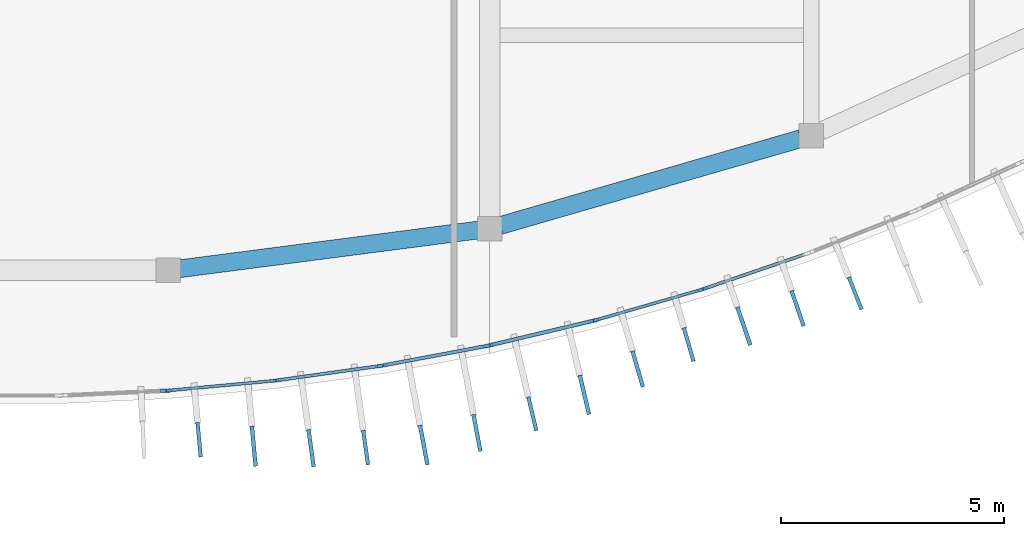
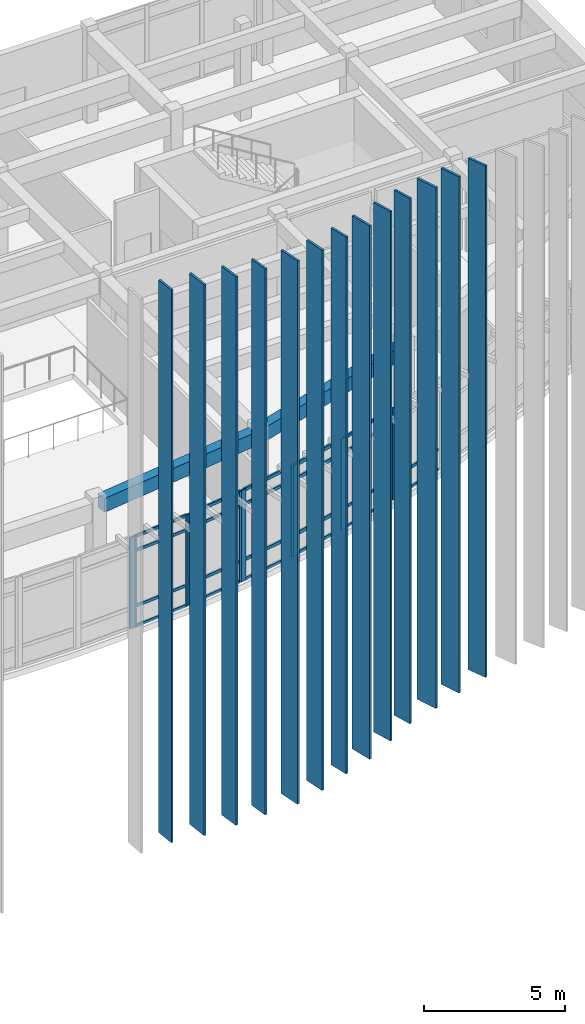
# One storey, part 18 of 47: 47 members, 2 beams, 7 elements without a shape of their own.
"""IFC4 building model written with IfcOpenShell, lengths in metres."""

from ifc_helpers import new_model, si_unit, direction, frame, origin, origin_2d, place, context, subcontext, project, spatial, rectangle, extrude, material, layer, layer_set, material_profile, profile_set, type_object, element, aggregate, save


model = new_model("IFC4")

# Units and contexts
model_context = context("Model", 3, precision=1e-05, world=origin(), true_north=direction((0.0, 1.0)))
body_context = subcontext(model_context, "Body", "Model", "MODEL_VIEW")
ifc_project = project(units=[si_unit("LENGTHUNIT", "METRE"), si_unit("AREAUNIT", "SQUARE_METRE"), si_unit("VOLUMEUNIT", "CUBIC_METRE"), si_unit("PLANEANGLEUNIT", "RADIAN"), si_unit("MASSUNIT", "GRAM", prefix="KILO")], contexts=[model_context])

# Site, building, storey
site_placement = place(None, origin())
site = spatial("IfcSite", under=ifc_project, at=site_placement, CompositionType="ELEMENT")
building_placement = place(site_placement, origin())
building = spatial("IfcBuilding", under=site, at=building_placement, Name="Brisavento Harbour Community Centre", CompositionType="ELEMENT")
storey_placement = place(building_placement, frame((0.0, 0.0, 8.699951171875)))
storey = spatial("IfcBuildingStorey", under=building, at=storey_placement, Name="L02", CompositionType="ELEMENT", Elevation=8.699951171875)

# Beams
ifc_material_1 = material(Name="Concrete C35/45", Category="concrete")
ifc_material_profile_1 = material_profile(ifc_material_1, rectangle(XDim=0.39990234375, YDim=0.60009765625, at=origin_2d()), Name="Concrete C35/45")
ifc_profile_set_1 = profile_set([ifc_material_profile_1], Name="Concrete C35/45")
beam_type = type_object("IfcBeamType", Name="BM-SPN-400x600", PredefinedType="SPANDREL", material=ifc_profile_set_1)
beam_1_placement = place(storey_placement, frame((144.242919921875, 3.031494140625, 3.66015625), z_axis=(0.991688453726, 0.128662390564, 0.0), x_axis=(-0.128662390564, 0.991688453726, 0.0)))
element("IfcBeam", 1, at=beam_1_placement, inside=storey, type_object=beam_type, Name="L02 curved perimeter spandrel 0642", PredefinedType="SPANDREL", context=body_context, shape_type="SweptSolid", body=[
    extrude(rectangle(XDim=0.39990234375, YDim=0.60009765625, at=origin_2d()), origin(), (0.0, 0.0, 1.0), 6.770263671875),
])
beam_2_placement = place(storey_placement, frame((151.435302734375, 4.001953125, 3.66015625), z_axis=(0.960673695261, 0.277679763819, 0.0), x_axis=(-0.277679763819, 0.960673695261, 0.0)))
element("IfcBeam", 2, at=beam_2_placement, inside=storey, type_object=beam_type, Name="L02 curved perimeter spandrel 0643", PredefinedType="SPANDREL", context=body_context, shape_type="SweptSolid", body=[
    extrude(rectangle(XDim=0.39990234375, YDim=0.60009765625, at=origin_2d()), origin(), (0.0, 0.0, 1.0), 7.004638671875),
])

# Curtain wall, members
ifc_material_2 = material(Name="Marine-anodised aluminium AW-6063-T6", Category="aluminium")
ifc_layer_1 = layer(ifc_material_2, 0.179931640625, Name="Marine-anodised aluminium AW-6063-T6")
ifc_layer_set_1 = layer_set([ifc_layer_1], Name="Marine-anodised aluminium AW-6063-T6")
curtain_wall_type_1 = type_object("IfcCurtainWallType", Name="CW-SYS-21", PredefinedType="USERDEFINED", material=ifc_layer_set_1)
curtain_wall_1_placement = place(storey_placement, origin())
curtain_wall_1 = element("IfcCurtainWall", 3, at=curtain_wall_1_placement, inside=storey, type_object=curtain_wall_type_1, Name="L02 V3 unitised curtain wall 133", ObjectType="UNITISED CURTAIN WALL", PredefinedType="USERDEFINED")
ifc_material_profile_2 = material_profile(ifc_material_2, rectangle(XDim=0.06494140625, YDim=0.1650390625, at=origin_2d()), Name="Marine-anodised aluminium AW-6063-T6")
ifc_profile_set_2 = profile_set([ifc_material_profile_2], Name="Marine-anodised aluminium AW-6063-T6")
member_type_1 = type_object("IfcMemberType", Name="CWM-01", PredefinedType="MULLION", material=ifc_profile_set_2)
member_1_placement = place(storey_placement, frame((146.333251953125, 0.521728515625, 0.0), z_axis=(0.0, 0.0, 1.0), x_axis=(0.092278635218, -0.995733224053, 0.0)))
member_1 = element("IfcMember", 4, at=member_1_placement, type_object=member_type_1, Name="CW-21 mullion 1", PredefinedType="MULLION", context=body_context, shape_type="SweptSolid", body=[
    extrude(rectangle(XDim=0.06494140625, YDim=0.1650390625, at=origin_2d()), origin(), (0.0, 0.0, 1.0), 3.9599609375),
])
member_2_placement = place(storey_placement, frame((144.03369140625, 0.30859375, 0.0), z_axis=(0.0, 0.0, 1.0), x_axis=(0.092278635218, -0.995733224053, 0.0)))
member_2 = element("IfcMember", 5, at=member_2_placement, type_object=member_type_1, Name="CW-21 mullion 2", PredefinedType="MULLION", context=body_context, shape_type="SweptSolid", body=[
    extrude(rectangle(XDim=0.06494140625, YDim=0.1650390625, at=origin_2d()), origin(), (0.0, 0.0, 1.0), 3.9599609375),
])

ifc_layer_2 = layer(ifc_material_2, 0.179931640625, Name="Marine-anodised aluminium AW-6063-T6")
ifc_layer_set_2 = layer_set([ifc_layer_2], Name="Marine-anodised aluminium AW-6063-T6")
curtain_wall_type_2 = type_object("IfcCurtainWallType", Name="CW-SYS-25", PredefinedType="USERDEFINED", material=ifc_layer_set_2)
curtain_wall_2_placement = place(storey_placement, origin())
curtain_wall_2 = element("IfcCurtainWall", 6, at=curtain_wall_2_placement, inside=storey, type_object=curtain_wall_type_2, Name="L02 V3 unitised curtain wall 137", ObjectType="UNITISED CURTAIN WALL", PredefinedType="USERDEFINED")
member_3_placement = place(storey_placement, frame((155.901611328125, 2.55419921875, 0.0), z_axis=(0.0, 0.0, 1.0), x_axis=(0.277000545402, -0.960869761126, 0.0)))
member_3 = element("IfcMember", 7, at=member_3_placement, type_object=member_type_1, Name="CW-25 mullion 1", PredefinedType="MULLION", context=body_context, shape_type="SweptSolid", body=[
    extrude(rectangle(XDim=0.06494140625, YDim=0.1650390625, at=origin_2d()), origin(), (0.0, 0.0, 1.0), 3.9599609375),
])
member_4_placement = place(storey_placement, frame((153.5986328125, 1.89013671875, 0.0), z_axis=(0.0, 0.0, 1.0), x_axis=(0.277000545402, -0.960869761126, 0.0)))
member_4 = element("IfcMember", 8, at=member_4_placement, type_object=member_type_1, Name="CW-25 mullion 2", PredefinedType="MULLION", context=body_context, shape_type="SweptSolid", body=[
    extrude(rectangle(XDim=0.06494140625, YDim=0.1650390625, at=origin_2d()), origin(), (0.0, 0.0, 1.0), 3.9599609375),
])

ifc_layer_3 = layer(ifc_material_2, 0.179931640625, Name="Marine-anodised aluminium AW-6063-T6")
ifc_layer_set_3 = layer_set([ifc_layer_3], Name="Marine-anodised aluminium AW-6063-T6")
curtain_wall_type_3 = type_object("IfcCurtainWallType", Name="CW-SYS-22", PredefinedType="USERDEFINED", material=ifc_layer_set_3)
curtain_wall_3_placement = place(storey_placement, origin())
curtain_wall_3 = element("IfcCurtainWall", 9, at=curtain_wall_3_placement, inside=storey, type_object=curtain_wall_type_3, Name="L02 V3 unitised curtain wall 134", ObjectType="UNITISED CURTAIN WALL", PredefinedType="USERDEFINED")
ifc_material_profile_3 = material_profile(ifc_material_2, rectangle(XDim=0.070068359375, YDim=0.179931640625, at=origin_2d()), Name="Marine-anodised aluminium AW-6063-T6")
ifc_profile_set_3 = profile_set([ifc_material_profile_3], Name="Marine-anodised aluminium AW-6063-T6")
member_type_2 = type_object("IfcMemberType", Name="CWM-02", PredefinedType="MULLION", material=ifc_profile_set_3)
member_5_placement = place(storey_placement, frame((148.72265625, 0.853759765625, 0.0), z_axis=(0.0, 0.0, 1.0), x_axis=(0.138476944024, -0.990365657711, 0.0)))
member_5 = element("IfcMember", 10, at=member_5_placement, type_object=member_type_2, Name="CW-22 mullion 1", PredefinedType="MULLION", context=body_context, shape_type="SweptSolid", body=[
    extrude(rectangle(XDim=0.070068359375, YDim=0.179931640625, at=origin_2d()), origin(), (0.0, 0.0, 1.0), 3.9599609375),
])
member_6_placement = place(storey_placement, frame((146.427490234375, 0.532958984375, 0.0), z_axis=(0.0, 0.0, 1.0), x_axis=(0.138476944024, -0.990365657711, 0.0)))
member_6 = element("IfcMember", 11, at=member_6_placement, type_object=member_type_2, Name="CW-22 mullion 2", PredefinedType="MULLION", context=body_context, shape_type="SweptSolid", body=[
    extrude(rectangle(XDim=0.070068359375, YDim=0.179931640625, at=origin_2d()), origin(), (0.0, 0.0, 1.0), 3.9599609375),
])

# Curtain wall, member
ifc_layer_4 = layer(ifc_material_2, 0.179931640625, Name="Marine-anodised aluminium AW-6063-T6")
ifc_layer_set_4 = layer_set([ifc_layer_4], Name="Marine-anodised aluminium AW-6063-T6")
curtain_wall_type_4 = type_object("IfcCurtainWallType", Name="CW-SYS-26", PredefinedType="USERDEFINED", material=ifc_layer_set_4)
curtain_wall_4_placement = place(storey_placement, origin())
curtain_wall_4 = element("IfcCurtainWall", 12, at=curtain_wall_4_placement, inside=storey, type_object=curtain_wall_type_4, Name="L02 V3 unitised curtain wall 138", ObjectType="UNITISED CURTAIN WALL", PredefinedType="USERDEFINED")
member_7_placement = place(storey_placement, frame((155.991943359375, 2.58251953125, 0.0), z_axis=(0.0, 0.0, 1.0), x_axis=(0.32317880016, -0.94633792227, 0.0)))
member_7 = element("IfcMember", 13, at=member_7_placement, type_object=member_type_2, Name="CW-26 mullion 2", PredefinedType="MULLION", context=body_context, shape_type="SweptSolid", body=[
    extrude(rectangle(XDim=0.070068359375, YDim=0.179931640625, at=origin_2d()), origin(), (0.0, 0.0, 1.0), 3.9599609375),
])

# Curtain wall, members
ifc_layer_5 = layer(ifc_material_2, 0.179931640625, Name="Marine-anodised aluminium AW-6063-T6")
ifc_layer_set_5 = layer_set([ifc_layer_5], Name="Marine-anodised aluminium AW-6063-T6")
curtain_wall_type_5 = type_object("IfcCurtainWallType", Name="CW-SYS-23", PredefinedType="USERDEFINED", material=ifc_layer_set_5)
curtain_wall_5_placement = place(storey_placement, origin())
curtain_wall_5 = element("IfcCurtainWall", 14, at=curtain_wall_5_placement, inside=storey, type_object=curtain_wall_type_5, Name="L02 V3 unitised curtain wall 135", ObjectType="UNITISED CURTAIN WALL", PredefinedType="USERDEFINED")
ifc_material_profile_4 = material_profile(ifc_material_2, rectangle(XDim=0.074951171875, YDim=0.18994140625, at=origin_2d()), Name="Marine-anodised aluminium AW-6063-T6")
ifc_profile_set_4 = profile_set([ifc_material_profile_4], Name="Marine-anodised aluminium AW-6063-T6")
member_type_3 = type_object("IfcMemberType", Name="CWM-03", PredefinedType="MULLION", material=ifc_profile_set_4)
member_8_placement = place(storey_placement, frame((151.1123046875, 1.300537109375, 0.0), z_axis=(0.0, 0.0, 1.0), x_axis=(0.184664942245, -0.98280153597, 0.0)))
member_8 = element("IfcMember", 15, at=member_8_placement, type_object=member_type_3, Name="CW-23 mullion 1", PredefinedType="MULLION", context=body_context, shape_type="SweptSolid", body=[
    extrude(rectangle(XDim=0.074951171875, YDim=0.18994140625, at=origin_2d()), origin(), (0.0, 0.0, 1.0), 3.9599609375),
])
member_9_placement = place(storey_placement, frame((148.8212890625, 0.8701171875, 0.0), z_axis=(0.0, 0.0, 1.0), x_axis=(0.184664942245, -0.98280153597, 0.0)))
member_9 = element("IfcMember", 16, at=member_9_placement, type_object=member_type_3, Name="CW-23 mullion 2", PredefinedType="MULLION", context=body_context, shape_type="SweptSolid", body=[
    extrude(rectangle(XDim=0.074951171875, YDim=0.18994140625, at=origin_2d()), origin(), (0.0, 0.0, 1.0), 3.9599609375),
])

# Curtain wall, member
ifc_layer_6 = layer(ifc_material_2, 0.179931640625, Name="Marine-anodised aluminium AW-6063-T6")
ifc_layer_set_6 = layer_set([ifc_layer_6], Name="Marine-anodised aluminium AW-6063-T6")
curtain_wall_type_6 = type_object("IfcCurtainWallType", Name="CW-SYS-20", PredefinedType="USERDEFINED", material=ifc_layer_set_6)
curtain_wall_6_placement = place(storey_placement, origin())
curtain_wall_6 = element("IfcCurtainWall", 17, at=curtain_wall_6_placement, inside=storey, type_object=curtain_wall_type_6, Name="L02 V3 unitised curtain wall 132", ObjectType="UNITISED CURTAIN WALL", PredefinedType="USERDEFINED")
ifc_material_profile_5 = material_profile(ifc_material_2, rectangle(XDim=0.080078125, YDim=0.2099609375, at=origin_2d()), Name="Marine-anodised aluminium AW-6063-T6")
ifc_profile_set_5 = profile_set([ifc_material_profile_5], Name="Marine-anodised aluminium AW-6063-T6")
member_type_4 = type_object("IfcMemberType", Name="CWM-04", PredefinedType="MULLION", material=ifc_profile_set_5)
member_10_placement = place(storey_placement, frame((143.933837890625, 0.302001953125, 0.0), z_axis=(0.0, 0.0, 1.0), x_axis=(0.046185855346, -0.998932863993, 0.0)))
member_10 = element("IfcMember", 18, at=member_10_placement, type_object=member_type_4, Name="CW-20 mullion 1", PredefinedType="MULLION", context=body_context, shape_type="SweptSolid", body=[
    extrude(rectangle(XDim=0.080078125, YDim=0.2099609375, at=origin_2d()), origin(), (0.0, 0.0, 1.0), 3.9599609375),
])
aggregate(curtain_wall_6, [member_10])

# Curtain wall, members
ifc_layer_7 = layer(ifc_material_2, 0.179931640625, Name="Marine-anodised aluminium AW-6063-T6")
ifc_layer_set_7 = layer_set([ifc_layer_7], Name="Marine-anodised aluminium AW-6063-T6")
curtain_wall_type_7 = type_object("IfcCurtainWallType", Name="CW-SYS-24", PredefinedType="USERDEFINED", material=ifc_layer_set_7)
curtain_wall_7_placement = place(storey_placement, origin())
curtain_wall_7 = element("IfcCurtainWall", 19, at=curtain_wall_7_placement, inside=storey, type_object=curtain_wall_type_7, Name="L02 V3 unitised curtain wall 136", ObjectType="UNITISED CURTAIN WALL", PredefinedType="USERDEFINED")
member_11_placement = place(storey_placement, frame((153.501953125, 1.864990234375, 0.0), z_axis=(0.0, 0.0, 1.0), x_axis=(0.230804675748, -0.973000103624, 0.0)))
member_11 = element("IfcMember", 20, at=member_11_placement, type_object=member_type_4, Name="CW-24 mullion 1", PredefinedType="MULLION", context=body_context, shape_type="SweptSolid", body=[
    extrude(rectangle(XDim=0.080078125, YDim=0.2099609375, at=origin_2d()), origin(), (0.0, 0.0, 1.0), 3.9599609375),
])
member_12_placement = place(storey_placement, frame((151.21484375, 1.322509765625, 0.0), z_axis=(0.0, 0.0, 1.0), x_axis=(0.230804675748, -0.973000103624, 0.0)))
member_12 = element("IfcMember", 21, at=member_12_placement, type_object=member_type_4, Name="CW-24 mullion 2", PredefinedType="MULLION", context=body_context, shape_type="SweptSolid", body=[
    extrude(rectangle(XDim=0.080078125, YDim=0.2099609375, at=origin_2d()), origin(), (0.0, 0.0, 1.0), 3.9599609375),
])

# Member
ifc_material_profile_6 = material_profile(ifc_material_2, rectangle(XDim=0.06494140625, YDim=0.125, at=origin_2d()), Name="Marine-anodised aluminium AW-6063-T6")
ifc_profile_set_6 = profile_set([ifc_material_profile_6], Name="Marine-anodised aluminium AW-6063-T6")
member_type_5 = type_object("IfcMemberType", Name="CWT-01", PredefinedType="USERDEFINED", material=ifc_profile_set_6)
member_13_placement = place(storey_placement, frame((146.30078125, 0.518798828125, 0.032470703125), z_axis=(-0.995736604615, -0.092242149958, 0.0), x_axis=(0.092242149958, -0.995736604615, 0.0)))
member_13 = element("IfcMember", 22, at=member_13_placement, type_object=member_type_5, Name="CW-21 transom 1.1", ObjectType="TRANSOM", PredefinedType="USERDEFINED", context=body_context, shape_type="SweptSolid", body=[
    extrude(rectangle(XDim=0.06494140625, YDim=0.125, at=origin_2d()), origin(), (0.0, 0.0, 1.0), 2.244384765625),
])

member_14_placement = place(storey_placement, frame((146.30078125, 0.518798828125, 0.900146484375), z_axis=(-0.995736604615, -0.092242149958, 0.0), x_axis=(0.092242149958, -0.995736604615, 0.0)))
member_14 = element("IfcMember", 23, at=member_14_placement, type_object=member_type_5, Name="CW-21 transom 1.2", ObjectType="TRANSOM", PredefinedType="USERDEFINED", context=body_context, shape_type="SweptSolid", body=[
    extrude(rectangle(XDim=0.06494140625, YDim=0.125, at=origin_2d()), origin(), (0.0, 0.0, 1.0), 2.244384765625),
])

member_15_placement = place(storey_placement, frame((146.30078125, 0.518798828125, 3.31005859375), z_axis=(-0.995736604615, -0.092242149958, 0.0), x_axis=(0.092242149958, -0.995736604615, 0.0)))
member_15 = element("IfcMember", 24, at=member_15_placement, type_object=member_type_5, Name="CW-21 transom 1.3", ObjectType="TRANSOM", PredefinedType="USERDEFINED", context=body_context, shape_type="SweptSolid", body=[
    extrude(rectangle(XDim=0.06494140625, YDim=0.125, at=origin_2d()), origin(), (0.0, 0.0, 1.0), 2.244384765625),
])

member_16_placement = place(storey_placement, frame((146.30078125, 0.518798828125, 3.927490234375), z_axis=(-0.995736604615, -0.092242149958, 0.0), x_axis=(0.092242149958, -0.995736604615, 0.0)))
member_16 = element("IfcMember", 25, at=member_16_placement, type_object=member_type_5, Name="CW-21 transom 1.4", ObjectType="TRANSOM", PredefinedType="USERDEFINED", context=body_context, shape_type="SweptSolid", body=[
    extrude(rectangle(XDim=0.06494140625, YDim=0.125, at=origin_2d()), origin(), (0.0, 0.0, 1.0), 2.244384765625),
])

aggregate(curtain_wall_1, [member_1, member_2, member_13, member_14, member_15, member_16])

member_17_placement = place(storey_placement, frame((155.870361328125, 2.545166015625, 0.032470703125), z_axis=(-0.960857364899, -0.277043542282, 0.0), x_axis=(0.277043542282, -0.960857364899, 0.0)))
member_17 = element("IfcMember", 26, at=member_17_placement, type_object=member_type_5, Name="CW-25 transom 1.1", ObjectType="TRANSOM", PredefinedType="USERDEFINED", context=body_context, shape_type="SweptSolid", body=[
    extrude(rectangle(XDim=0.06494140625, YDim=0.125, at=origin_2d()), origin(), (0.0, 0.0, 1.0), 2.331787109375),
])

member_18_placement = place(storey_placement, frame((155.870361328125, 2.545166015625, 0.900146484375), z_axis=(-0.960857364899, -0.277043542282, 0.0), x_axis=(0.277043542282, -0.960857364899, 0.0)))
member_18 = element("IfcMember", 27, at=member_18_placement, type_object=member_type_5, Name="CW-25 transom 1.2", ObjectType="TRANSOM", PredefinedType="USERDEFINED", context=body_context, shape_type="SweptSolid", body=[
    extrude(rectangle(XDim=0.06494140625, YDim=0.125, at=origin_2d()), origin(), (0.0, 0.0, 1.0), 2.331787109375),
])

member_19_placement = place(storey_placement, frame((155.870361328125, 2.545166015625, 3.31005859375), z_axis=(-0.960857364899, -0.277043542282, 0.0), x_axis=(0.277043542282, -0.960857364899, 0.0)))
member_19 = element("IfcMember", 28, at=member_19_placement, type_object=member_type_5, Name="CW-25 transom 1.3", ObjectType="TRANSOM", PredefinedType="USERDEFINED", context=body_context, shape_type="SweptSolid", body=[
    extrude(rectangle(XDim=0.06494140625, YDim=0.125, at=origin_2d()), origin(), (0.0, 0.0, 1.0), 2.331787109375),
])

member_20_placement = place(storey_placement, frame((155.870361328125, 2.545166015625, 3.927490234375), z_axis=(-0.960857364899, -0.277043542282, 0.0), x_axis=(0.277043542282, -0.960857364899, 0.0)))
member_20 = element("IfcMember", 29, at=member_20_placement, type_object=member_type_5, Name="CW-25 transom 1.4", ObjectType="TRANSOM", PredefinedType="USERDEFINED", context=body_context, shape_type="SweptSolid", body=[
    extrude(rectangle(XDim=0.06494140625, YDim=0.125, at=origin_2d()), origin(), (0.0, 0.0, 1.0), 2.331787109375),
])

aggregate(curtain_wall_2, [member_3, member_4, member_17, member_18, member_19, member_20])

ifc_material_profile_7 = material_profile(ifc_material_2, rectangle(XDim=0.070068359375, YDim=0.132080078125, at=origin_2d()), Name="Marine-anodised aluminium AW-6063-T6")
ifc_profile_set_7 = profile_set([ifc_material_profile_7], Name="Marine-anodised aluminium AW-6063-T6")
member_type_6 = type_object("IfcMemberType", Name="CWT-02", PredefinedType="USERDEFINED", material=ifc_profile_set_7)
member_21_placement = place(storey_placement, frame((148.68798828125, 0.84912109375, 0.03515625), z_axis=(-0.990362319271, -0.13850081793, 0.0), x_axis=(0.13850081793, -0.990362319271, 0.0)))
member_21 = element("IfcMember", 30, at=member_21_placement, type_object=member_type_6, Name="CW-22 transom 1.1", ObjectType="TRANSOM", PredefinedType="USERDEFINED", context=body_context, shape_type="SweptSolid", body=[
    extrude(rectangle(XDim=0.070068359375, YDim=0.132080078125, at=origin_2d()), origin(), (0.0, 0.0, 1.0), 2.24755859375),
])

member_22_placement = place(storey_placement, frame((148.68798828125, 0.84912109375, 0.900146484375), z_axis=(-0.990362319271, -0.13850081793, 0.0), x_axis=(0.13850081793, -0.990362319271, 0.0)))
member_22 = element("IfcMember", 31, at=member_22_placement, type_object=member_type_6, Name="CW-22 transom 1.2", ObjectType="TRANSOM", PredefinedType="USERDEFINED", context=body_context, shape_type="SweptSolid", body=[
    extrude(rectangle(XDim=0.070068359375, YDim=0.132080078125, at=origin_2d()), origin(), (0.0, 0.0, 1.0), 2.24755859375),
])

member_23_placement = place(storey_placement, frame((148.68798828125, 0.84912109375, 3.31005859375), z_axis=(-0.990362319271, -0.13850081793, 0.0), x_axis=(0.13850081793, -0.990362319271, 0.0)))
member_23 = element("IfcMember", 32, at=member_23_placement, type_object=member_type_6, Name="CW-22 transom 1.3", ObjectType="TRANSOM", PredefinedType="USERDEFINED", context=body_context, shape_type="SweptSolid", body=[
    extrude(rectangle(XDim=0.070068359375, YDim=0.132080078125, at=origin_2d()), origin(), (0.0, 0.0, 1.0), 2.24755859375),
])

member_24_placement = place(storey_placement, frame((148.68798828125, 0.84912109375, 3.925048828125), z_axis=(-0.990362319271, -0.13850081793, 0.0), x_axis=(0.13850081793, -0.990362319271, 0.0)))
member_24 = element("IfcMember", 33, at=member_24_placement, type_object=member_type_6, Name="CW-22 transom 1.4", ObjectType="TRANSOM", PredefinedType="USERDEFINED", context=body_context, shape_type="SweptSolid", body=[
    extrude(rectangle(XDim=0.070068359375, YDim=0.132080078125, at=origin_2d()), origin(), (0.0, 0.0, 1.0), 2.24755859375),
])

aggregate(curtain_wall_3, [member_5, member_6, member_21, member_22, member_23, member_24])

member_25_placement = place(storey_placement, frame((158.258544921875, 3.356689453125, 0.03515625), z_axis=(-0.946340596632, -0.323170968942, 0.0), x_axis=(0.323170968942, -0.946340596632, 0.0)))
member_25 = element("IfcMember", 34, at=member_25_placement, type_object=member_type_6, Name="CW-26 transom 1.1", ObjectType="TRANSOM", PredefinedType="USERDEFINED", context=body_context, shape_type="SweptSolid", body=[
    extrude(rectangle(XDim=0.070068359375, YDim=0.132080078125, at=origin_2d()), origin(), (0.0, 0.0, 1.0), 2.360107421875),
])

member_26_placement = place(storey_placement, frame((158.258544921875, 3.356689453125, 0.900146484375), z_axis=(-0.946340596632, -0.323170968942, 0.0), x_axis=(0.323170968942, -0.946340596632, 0.0)))
member_26 = element("IfcMember", 35, at=member_26_placement, type_object=member_type_6, Name="CW-26 transom 1.2", ObjectType="TRANSOM", PredefinedType="USERDEFINED", context=body_context, shape_type="SweptSolid", body=[
    extrude(rectangle(XDim=0.070068359375, YDim=0.132080078125, at=origin_2d()), origin(), (0.0, 0.0, 1.0), 2.360107421875),
])

aggregate(curtain_wall_4, [member_7, member_25, member_26])

ifc_material_profile_8 = material_profile(ifc_material_2, rectangle(XDim=0.074951171875, YDim=0.139892578125, at=origin_2d()), Name="Marine-anodised aluminium AW-6063-T6")
ifc_profile_set_8 = profile_set([ifc_material_profile_8], Name="Marine-anodised aluminium AW-6063-T6")
member_type_7 = type_object("IfcMemberType", Name="CWT-03", PredefinedType="USERDEFINED", material=ifc_profile_set_8)
member_27_placement = place(storey_placement, frame((151.075439453125, 1.293701171875, 0.03759765625), z_axis=(-0.982791238789, -0.184719736249, 0.0), x_axis=(0.184719736249, -0.982791238789, 0.0)))
member_27 = element("IfcMember", 36, at=member_27_placement, type_object=member_type_7, Name="CW-23 transom 1.1", ObjectType="TRANSOM", PredefinedType="USERDEFINED", context=body_context, shape_type="SweptSolid", body=[
    extrude(rectangle(XDim=0.074951171875, YDim=0.139892578125, at=origin_2d()), origin(), (0.0, 0.0, 1.0), 2.256103515625),
])

member_28_placement = place(storey_placement, frame((151.075439453125, 1.293701171875, 0.900146484375), z_axis=(-0.982791238789, -0.184719736249, 0.0), x_axis=(0.184719736249, -0.982791238789, 0.0)))
member_28 = element("IfcMember", 37, at=member_28_placement, type_object=member_type_7, Name="CW-23 transom 1.2", ObjectType="TRANSOM", PredefinedType="USERDEFINED", context=body_context, shape_type="SweptSolid", body=[
    extrude(rectangle(XDim=0.074951171875, YDim=0.139892578125, at=origin_2d()), origin(), (0.0, 0.0, 1.0), 2.256103515625),
])

member_29_placement = place(storey_placement, frame((151.075439453125, 1.293701171875, 3.31005859375), z_axis=(-0.982791238789, -0.184719736249, 0.0), x_axis=(0.184719736249, -0.982791238789, 0.0)))
member_29 = element("IfcMember", 38, at=member_29_placement, type_object=member_type_7, Name="CW-23 transom 1.3", ObjectType="TRANSOM", PredefinedType="USERDEFINED", context=body_context, shape_type="SweptSolid", body=[
    extrude(rectangle(XDim=0.074951171875, YDim=0.139892578125, at=origin_2d()), origin(), (0.0, 0.0, 1.0), 2.256103515625),
])

member_30_placement = place(storey_placement, frame((151.075439453125, 1.293701171875, 3.922607421875), z_axis=(-0.982791238789, -0.184719736249, 0.0), x_axis=(0.184719736249, -0.982791238789, 0.0)))
member_30 = element("IfcMember", 39, at=member_30_placement, type_object=member_type_7, Name="CW-23 transom 1.4", ObjectType="TRANSOM", PredefinedType="USERDEFINED", context=body_context, shape_type="SweptSolid", body=[
    extrude(rectangle(XDim=0.074951171875, YDim=0.139892578125, at=origin_2d()), origin(), (0.0, 0.0, 1.0), 2.256103515625),
])

aggregate(curtain_wall_5, [member_8, member_9, member_27, member_28, member_29, member_30])

ifc_material_profile_9 = material_profile(ifc_material_2, rectangle(XDim=0.080078125, YDim=0.155029296875, at=origin_2d()), Name="Marine-anodised aluminium AW-6063-T6")
ifc_profile_set_9 = profile_set([ifc_material_profile_9], Name="Marine-anodised aluminium AW-6063-T6")
member_type_8 = type_object("IfcMemberType", Name="CWT-04", PredefinedType="USERDEFINED", material=ifc_profile_set_9)
member_31_placement = place(storey_placement, frame((153.463134765625, 1.855712890625, 0.0400390625), z_axis=(-0.972993926765, -0.230830713897, 0.0), x_axis=(0.230830713897, -0.972993926765, 0.0)))
member_31 = element("IfcMember", 40, at=member_31_placement, type_object=member_type_8, Name="CW-24 transom 1.1", ObjectType="TRANSOM", PredefinedType="USERDEFINED", context=body_context, shape_type="SweptSolid", body=[
    extrude(rectangle(XDim=0.080078125, YDim=0.155029296875, at=origin_2d()), origin(), (0.0, 0.0, 1.0), 2.270751953125),
])

member_32_placement = place(storey_placement, frame((153.463134765625, 1.855712890625, 0.900146484375), z_axis=(-0.972993926765, -0.230830713897, 0.0), x_axis=(0.230830713897, -0.972993926765, 0.0)))
member_32 = element("IfcMember", 41, at=member_32_placement, type_object=member_type_8, Name="CW-24 transom 1.2", ObjectType="TRANSOM", PredefinedType="USERDEFINED", context=body_context, shape_type="SweptSolid", body=[
    extrude(rectangle(XDim=0.080078125, YDim=0.155029296875, at=origin_2d()), origin(), (0.0, 0.0, 1.0), 2.270751953125),
])

member_33_placement = place(storey_placement, frame((153.463134765625, 1.855712890625, 3.31005859375), z_axis=(-0.972993926765, -0.230830713897, 0.0), x_axis=(0.230830713897, -0.972993926765, 0.0)))
member_33 = element("IfcMember", 42, at=member_33_placement, type_object=member_type_8, Name="CW-24 transom 1.3", ObjectType="TRANSOM", PredefinedType="USERDEFINED", context=body_context, shape_type="SweptSolid", body=[
    extrude(rectangle(XDim=0.080078125, YDim=0.155029296875, at=origin_2d()), origin(), (0.0, 0.0, 1.0), 2.270751953125),
])

member_34_placement = place(storey_placement, frame((153.463134765625, 1.855712890625, 3.920166015625), z_axis=(-0.972993926765, -0.230830713897, 0.0), x_axis=(0.230830713897, -0.972993926765, 0.0)))
member_34 = element("IfcMember", 43, at=member_34_placement, type_object=member_type_8, Name="CW-24 transom 1.4", ObjectType="TRANSOM", PredefinedType="USERDEFINED", context=body_context, shape_type="SweptSolid", body=[
    extrude(rectangle(XDim=0.080078125, YDim=0.155029296875, at=origin_2d()), origin(), (0.0, 0.0, 1.0), 2.270751953125),
])

aggregate(curtain_wall_7, [member_11, member_12, member_31, member_32, member_33, member_34])

# Members
ifc_material_3 = material(Name="Off-white marine-anodised aluminium AW-6063-T6", Category="aluminium")
ifc_material_profile_10 = material_profile(ifc_material_3, rectangle(XDim=0.090087890625, YDim=0.89990234375, at=origin_2d()), Name="Off-white marine-anodised aluminium AW-6063-T6")
ifc_profile_set_10 = profile_set([ifc_material_profile_10], Name="Off-white marine-anodised aluminium AW-6063-T6")
member_type_9 = type_object("IfcMemberType", Name="FIN-STORM-1", PredefinedType="USERDEFINED", material=ifc_profile_set_10)
member_35_placement = place(storey_placement, frame((145.914306640625, -0.94287109375, -8.699951171875), z_axis=(0.0, 0.0, 1.0), x_axis=(-0.99572792192, -0.092335830041, 0.0)))
element("IfcMember", 44, at=member_35_placement, inside=storey, type_object=member_type_9, Name="Standing-clear white storm fin 121", ObjectType="FIN", PredefinedType="USERDEFINED", context=body_context, shape_type="SweptSolid", body=[
    extrude(rectangle(XDim=0.090087890625, YDim=0.89990234375, at=origin_2d()), origin(), (0.0, 0.0, 1.0), 23.920654296875),
])
member_36_placement = place(storey_placement, frame((149.7216796875, -0.9169921875, -8.699951171875), z_axis=(0.0, 0.0, 1.0), x_axis=(-0.982800241691, -0.184671830369, 0.0)))
element("IfcMember", 45, at=member_36_placement, inside=storey, type_object=member_type_9, Name="Standing-clear white storm fin 124", ObjectType="FIN", PredefinedType="USERDEFINED", context=body_context, shape_type="SweptSolid", body=[
    extrude(rectangle(XDim=0.090087890625, YDim=0.89990234375, at=origin_2d()), origin(), (0.0, 0.0, 1.0), 23.597900390625),
])
member_37_placement = place(storey_placement, frame((153.320556640625, 0.2099609375, -8.699951171875), z_axis=(0.0, 0.0, 1.0), x_axis=(-0.972993863389, -0.230830981037, 0.0)))
element("IfcMember", 46, at=member_37_placement, inside=storey, type_object=member_type_9, Name="Standing-clear white storm fin 127", ObjectType="FIN", PredefinedType="USERDEFINED", context=body_context, shape_type="SweptSolid", body=[
    extrude(rectangle(XDim=0.090087890625, YDim=0.89990234375, at=origin_2d()), origin(), (0.0, 0.0, 1.0), 23.162353515625),
])
member_38_placement = place(storey_placement, frame((156.891357421875, 1.746826171875, -8.699951171875), z_axis=(0.0, 0.0, 1.0), x_axis=(-0.94633947115, -0.323174264667, 0.0)))
element("IfcMember", 47, at=member_38_placement, inside=storey, type_object=member_type_9, Name="Standing-clear white storm fin 130", ObjectType="FIN", PredefinedType="USERDEFINED", context=body_context, shape_type="SweptSolid", body=[
    extrude(rectangle(XDim=0.090087890625, YDim=0.89990234375, at=origin_2d()), origin(), (0.0, 0.0, 1.0), 22.624755859375),
])
ifc_material_profile_11 = material_profile(ifc_material_3, rectangle(XDim=0.087890625, YDim=0.840087890625, at=origin_2d()), Name="Off-white marine-anodised aluminium AW-6063-T6")
ifc_profile_set_11 = profile_set([ifc_material_profile_11], Name="Off-white marine-anodised aluminium AW-6063-T6")
member_type_10 = type_object("IfcMemberType", Name="FIN-STORM-2", PredefinedType="USERDEFINED", material=ifc_profile_set_11)
member_39_placement = place(storey_placement, frame((147.1982421875, -0.986083984375, -8.699951171875), z_axis=(0.0, 0.0, 1.0), x_axis=(-0.990362571452, -0.138499014678, 0.0)))
element("IfcMember", 48, at=member_39_placement, inside=storey, type_object=member_type_10, Name="Standing-clear white storm fin 122", ObjectType="FIN", PredefinedType="USERDEFINED", context=body_context, shape_type="SweptSolid", body=[
    extrude(rectangle(XDim=0.087890625, YDim=0.840087890625, at=origin_2d()), origin(), (0.0, 0.0, 1.0), 23.826171875),
])
member_40_placement = place(storey_placement, frame((150.9130859375, -0.644287109375, -8.699951171875), z_axis=(0.0, 0.0, 1.0), x_axis=(-0.982800241691, -0.184671830369, 0.0)))
element("IfcMember", 49, at=member_40_placement, inside=storey, type_object=member_type_10, Name="Standing-clear white storm fin 125", ObjectType="FIN", PredefinedType="USERDEFINED", context=body_context, shape_type="SweptSolid", body=[
    extrude(rectangle(XDim=0.087890625, YDim=0.840087890625, at=origin_2d()), origin(), (0.0, 0.0, 1.0), 23.46484375),
])
member_41_placement = place(storey_placement, frame((154.513916015625, 0.78759765625, -8.699951171875), z_axis=(0.0, 0.0, 1.0), x_axis=(-0.96087106235, -0.276996031628, 0.0)))
element("IfcMember", 50, at=member_41_placement, inside=storey, type_object=member_type_10, Name="Standing-clear white storm fin 128", ObjectType="FIN", PredefinedType="USERDEFINED", context=body_context, shape_type="SweptSolid", body=[
    extrude(rectangle(XDim=0.087890625, YDim=0.840087890625, at=origin_2d()), origin(), (0.0, 0.0, 1.0), 22.993896484375),
])
member_42_placement = place(storey_placement, frame((158.095947265625, 2.143310546875, -8.699951171875), z_axis=(0.0, 0.0, 1.0), x_axis=(-0.94633947115, -0.323174264667, 0.0)))
element("IfcMember", 51, at=member_42_placement, inside=storey, type_object=member_type_10, Name="Standing-clear white storm fin 131", ObjectType="FIN", PredefinedType="USERDEFINED", context=body_context, shape_type="SweptSolid", body=[
    extrude(rectangle(XDim=0.087890625, YDim=0.840087890625, at=origin_2d()), origin(), (0.0, 0.0, 1.0), 22.42529296875),
])
ifc_material_profile_12 = material_profile(ifc_material_3, rectangle(XDim=0.0849609375, YDim=0.780029296875, at=origin_2d()), Name="Off-white marine-anodised aluminium AW-6063-T6")
ifc_profile_set_12 = profile_set([ifc_material_profile_12], Name="Off-white marine-anodised aluminium AW-6063-T6")
member_type_11 = type_object("IfcMemberType", Name="FIN-STORM-3", PredefinedType="USERDEFINED", material=ifc_profile_set_12)
member_43_placement = place(storey_placement, frame((144.690673828125, -0.7978515625, -8.699951171875), z_axis=(0.0, 0.0, 1.0), x_axis=(-0.99572792192, -0.092335830041, 0.0)))
element("IfcMember", 52, at=member_43_placement, inside=storey, type_object=member_type_11, Name="Standing-clear white storm fin 120", ObjectType="FIN", PredefinedType="USERDEFINED", context=body_context, shape_type="SweptSolid", body=[
    extrude(rectangle(XDim=0.0849609375, YDim=0.780029296875, at=origin_2d()), origin(), (0.0, 0.0, 1.0), 24.001708984375),
])
member_44_placement = place(storey_placement, frame((148.419677734375, -0.97119140625, -8.699951171875), z_axis=(0.0, 0.0, 1.0), x_axis=(-0.990362571452, -0.138499014678, 0.0)))
element("IfcMember", 53, at=member_44_placement, inside=storey, type_object=member_type_11, Name="Standing-clear white storm fin 123", ObjectType="FIN", PredefinedType="USERDEFINED", context=body_context, shape_type="SweptSolid", body=[
    extrude(rectangle(XDim=0.0849609375, YDim=0.780029296875, at=origin_2d()), origin(), (0.0, 0.0, 1.0), 23.718505859375),
])
member_45_placement = place(storey_placement, frame((152.154296875, -0.21728515625, -8.699951171875), z_axis=(0.0, 0.0, 1.0), x_axis=(-0.972993863389, -0.230830981037, 0.0)))
element("IfcMember", 54, at=member_45_placement, inside=storey, type_object=member_type_11, Name="Standing-clear white storm fin 126", ObjectType="FIN", PredefinedType="USERDEFINED", context=body_context, shape_type="SweptSolid", body=[
    extrude(rectangle(XDim=0.0849609375, YDim=0.780029296875, at=origin_2d()), origin(), (0.0, 0.0, 1.0), 23.319580078125),
])
member_46_placement = place(storey_placement, frame((155.655517578125, 1.335693359375, -8.699951171875), z_axis=(0.0, 0.0, 1.0), x_axis=(-0.96087106235, -0.276996031628, 0.0)))
element("IfcMember", 55, at=member_46_placement, inside=storey, type_object=member_type_11, Name="Standing-clear white storm fin 129", ObjectType="FIN", PredefinedType="USERDEFINED", context=body_context, shape_type="SweptSolid", body=[
    extrude(rectangle(XDim=0.0849609375, YDim=0.780029296875, at=origin_2d()), origin(), (0.0, 0.0, 1.0), 22.814697265625),
])
member_47_placement = place(storey_placement, frame((159.385986328125, 2.482421875, -8.699951171875), z_axis=(0.0, 0.0, 1.0), x_axis=(-0.92929381554, -0.369341311525, 0.0)))
element("IfcMember", 56, at=member_47_placement, inside=storey, type_object=member_type_11, Name="Standing-clear white storm fin 132", ObjectType="FIN", PredefinedType="USERDEFINED", context=body_context, shape_type="SweptSolid", body=[
    extrude(rectangle(XDim=0.0849609375, YDim=0.780029296875, at=origin_2d()), origin(), (0.0, 0.0, 1.0), 22.21630859375),
])

save(model, "model.ifc")
